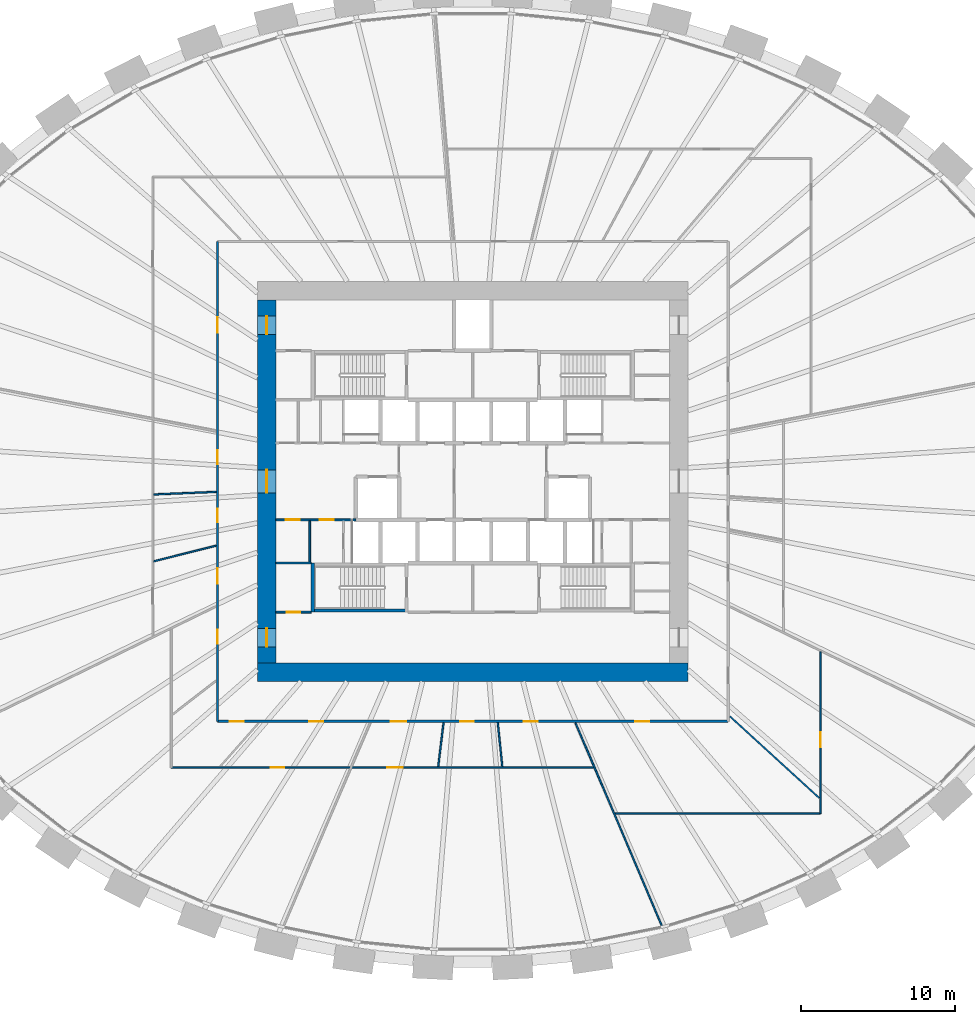
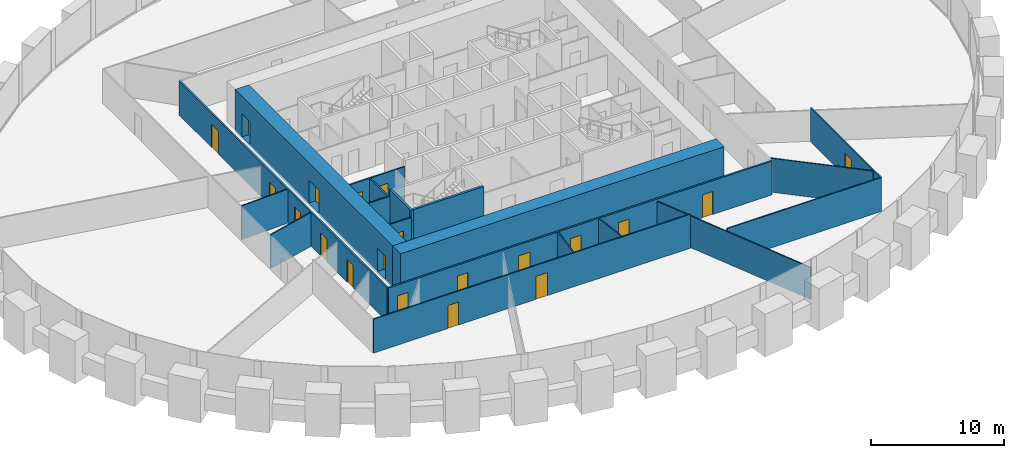
# One storey, part 6 of 11: 20 doors, 19 walls, 20 openings.
"""IFC4 building model written with IfcOpenShell, lengths in metres."""

from ifc_helpers import new_model, si_unit, direction, frame, frame_2d, origin, place, context, subcontext, project, spatial, rectangle, extrude, source, transform, mapped, material, layer, layer_set, type_object, element, fill, save


model = new_model("IFC4")

# Units and contexts
model_context = context("Model", 3, precision=1e-05, world=origin(), true_north=direction((0.0, 1.0)))
body_context = subcontext(model_context, "Body", "Model", "MODEL_VIEW")
ifc_project = project(units=[si_unit("LENGTHUNIT", "METRE"), si_unit("AREAUNIT", "SQUARE_METRE"), si_unit("VOLUMEUNIT", "CUBIC_METRE"), si_unit("PLANEANGLEUNIT", "RADIAN"), si_unit("MASSUNIT", "GRAM", prefix="KILO")], contexts=[model_context])

# Site, building, storey
site_placement = place(None, origin())
site = spatial("IfcSite", under=ifc_project, at=site_placement, CompositionType="ELEMENT")
building_placement = place(site_placement, origin())
building = spatial("IfcBuilding", under=site, at=building_placement, Name="Embergate Tower", CompositionType="ELEMENT")
storey_placement = place(building_placement, frame((0.0, 0.0, 77.60009765625)))
storey = spatial("IfcBuildingStorey", under=building, at=storey_placement, Name="L15", CompositionType="ELEMENT", Elevation=77.60009765625)

# Wall
ifc_material_1 = material(Name="Concrete C80", Category="concrete")
ifc_layer_1 = layer(ifc_material_1, 1.199951171875)
ifc_layer_set_1 = layer_set([ifc_layer_1], Name="Concrete C80")
wall_type_1 = type_object("IfcWallType", Name="Core outer wall C80 1200", PredefinedType="SHEAR", material=ifc_layer_set_1)
shared_shape_1 = source(origin(), body_context, "Body", "SweptSolid", [
    extrude(rectangle(XDim=28.0, YDim=1.199951171875, at=frame_2d((14.0, 0.0))), origin(), (0.0, 0.0, 1.0), 3.900146484375),
])
wall_1_placement = place(storey_placement, frame((-14.0, -12.39990234375, -0.2001953125), z_axis=(0.0, 0.0, 1.0), x_axis=(1.0, 0.0, 0.0)))
element("IfcWall", 1, at=wall_1_placement, inside=storey, type_object=wall_type_1, Name="CW-L15-S", PredefinedType="SHEAR", context=body_context, shape_type="MappedRepresentation", body=[
    mapped(shared_shape_1, transform((0.0, 0.0, 0.0))),
])

# Wall, openings, doors
shared_shape_2 = source(origin(), body_context, "Body", "SweptSolid", [
    extrude(rectangle(XDim=23.60009765625, YDim=1.199951171875, at=frame_2d((11.800048828125, 0.0))), origin(), (0.0, 0.0, 1.0), 3.900146484375),
])
wall_2_placement = place(storey_placement, frame((-13.39990234375, -11.800048828125, -0.2001953125), z_axis=(0.0, 0.0, 1.0), x_axis=(0.0, 1.0, 0.0)))
wall_2 = element("IfcWall", 2, at=wall_2_placement, inside=storey, type_object=wall_type_1, Name="CW-L15-W", PredefinedType="SHEAR", context=body_context, shape_type="MappedRepresentation", body=[
    mapped(shared_shape_2, transform((0.0, 0.0, 0.0))),
])
shared_shape_3 = source(origin(), body_context, "Body", "SweptSolid", [
    extrude(rectangle(XDim=1.199951171875, YDim=2.10009765625, at=frame_2d((0.60009765625, 1.050048828125))), frame((0.0, 0.60986328125, 0.0), z_axis=(0.0, -1.0, 0.0), x_axis=(1.0, 0.0, 0.0)), (0.0, 0.0, 1.0), 1.219970703125),
])
opening_1_placement = place(wall_2_placement, frame((21.35009765625, 0.0, 0.199951171875)))
opening_1 = element("IfcOpeningElement", 3, at=opening_1_placement, cuts=wall_2, Name="Opening IF-1", PredefinedType="OPENING", context=body_context, shape_type="MappedRepresentation", body=[
    mapped(shared_shape_3, transform((0.0, 0.0, 0.0))),
])
opening_2_placement = place(wall_2_placement, frame((1.050048828125, 0.0, 0.199951171875)))
opening_2 = element("IfcOpeningElement", 4, at=opening_2_placement, cuts=wall_2, Name="Opening IF-1", PredefinedType="OPENING", context=body_context, shape_type="MappedRepresentation", body=[
    mapped(shared_shape_3, transform((0.0, 0.0, 0.0))),
])
shared_shape_4 = source(origin(), body_context, "Body", "SweptSolid", [
    extrude(rectangle(XDim=1.5, YDim=2.10009765625, at=frame_2d((0.75, 1.050048828125))), frame((0.0, 0.60986328125, 0.0), z_axis=(0.0, -1.0, 0.0), x_axis=(1.0, 0.0, 0.0)), (0.0, 0.0, 1.0), 1.219970703125),
])
opening_3_placement = place(wall_2_placement, frame((11.050048828125, 0.0, 0.199951171875)))
opening_3 = element("IfcOpeningElement", 5, at=opening_3_placement, cuts=wall_2, Name="Opening IF-3", PredefinedType="OPENING", context=body_context, shape_type="MappedRepresentation", body=[
    mapped(shared_shape_4, transform((0.0, 0.0, 0.0))),
])
ifc_material_2 = material(Name="Escape fire door 1200")
door_type_1 = type_object("IfcDoorType", Name="Escape fire door 1200", OperationType="SINGLE_SWING_LEFT", PredefinedType="DOOR", material=ifc_material_2)
shared_shape_5 = source(origin(), body_context, "Body", "SweptSolid", [
    extrude(rectangle(XDim=1.199951171875, YDim=2.10009765625, at=frame_2d((0.60009765625, 1.050048828125))), frame((0.0, 0.02490234375, 0.0), z_axis=(0.0, -1.0, 0.0), x_axis=(1.0, 0.0, 0.0)), (0.0, 0.0, 1.0), 0.050048828125),
])
door_1_placement = place(opening_1_placement, origin())
door_1 = element("IfcDoor", 6, at=door_1_placement, inside=storey, type_object=door_type_1, Name="IF-1 door", OperationType="SINGLE_SWING_LEFT", OverallHeight=2.10009765625, OverallWidth=1.199951171875, PredefinedType="DOOR", context=body_context, shape_type="MappedRepresentation", body=[
    mapped(shared_shape_5, transform((0.0, 0.0, 0.0))),
])
fill(opening_1, door_1)
door_2_placement = place(opening_2_placement, origin())
door_2 = element("IfcDoor", 7, at=door_2_placement, inside=storey, type_object=door_type_1, Name="IF-1 door", OperationType="SINGLE_SWING_LEFT", OverallHeight=2.10009765625, OverallWidth=1.199951171875, PredefinedType="DOOR", context=body_context, shape_type="MappedRepresentation", body=[
    mapped(shared_shape_5, transform((0.0, 0.0, 0.0))),
])
fill(opening_2, door_2)
ifc_material_3 = material(Name="Lobby fire door pair 1500")
door_type_2 = type_object("IfcDoorType", Name="Lobby fire door pair 1500", OperationType="DOUBLE_DOOR_SINGLE_SWING", PredefinedType="DOOR", material=ifc_material_3)
shared_shape_6 = source(origin(), body_context, "Body", "SweptSolid", [
    extrude(rectangle(XDim=1.5, YDim=2.10009765625, at=frame_2d((0.75, 1.050048828125))), frame((0.0, 0.02490234375, 0.0), z_axis=(0.0, -1.0, 0.0), x_axis=(1.0, 0.0, 0.0)), (0.0, 0.0, 1.0), 0.050048828125),
])
door_3_placement = place(opening_3_placement, origin())
door_3 = element("IfcDoor", 8, at=door_3_placement, inside=storey, type_object=door_type_2, Name="IF-3 door", OperationType="DOUBLE_DOOR_SINGLE_SWING", OverallHeight=2.10009765625, OverallWidth=1.5, PredefinedType="DOOR", context=body_context, shape_type="MappedRepresentation", body=[
    mapped(shared_shape_6, transform((0.0, 0.0, 0.0))),
])
fill(opening_3, door_3)

# Walls
ifc_material_4 = material(Name="Concrete C50", Category="concrete")
ifc_layer_2 = layer(ifc_material_4, 0.199951171875)
ifc_layer_set_2 = layer_set([ifc_layer_2], Name="Concrete C50")
wall_type_2 = type_object("IfcWallType", Name="Stair enclosure wall reinforced concrete 250", PredefinedType="SHEAR", material=ifc_layer_set_2)
shared_shape_7 = source(origin(), body_context, "Body", "SweptSolid", [
    extrude(rectangle(XDim=6.300048828125, YDim=0.199951171875, at=frame_2d((3.14990234375, 0.0))), origin(), (0.0, 0.0, 1.0), 3.699951171875),
])
wall_3_placement = place(storey_placement, frame((-10.5, -8.39990234375, 0.0), z_axis=(0.0, 0.0, 1.0), x_axis=(1.0, 0.0, 0.0)))
element("IfcWall", 9, at=wall_3_placement, inside=storey, type_object=wall_type_2, Name="SE-1 wall", PredefinedType="SHEAR", context=body_context, shape_type="MappedRepresentation", body=[
    mapped(shared_shape_7, transform((0.0, 0.0, 0.0))),
])
shared_shape_8 = source(origin(), body_context, "Body", "SweptSolid", [
    extrude(rectangle(XDim=3.199951171875, YDim=0.199951171875, at=frame_2d((1.60009765625, 0.0))), origin(), (0.0, 0.0, 1.0), 3.699951171875),
])
wall_4_placement = place(storey_placement, frame((-10.39990234375, -5.300048828125, 0.0), z_axis=(0.0, 0.0, 1.0), x_axis=(0.0, -1.0, 0.0)))
element("IfcWall", 10, at=wall_4_placement, inside=storey, type_object=wall_type_2, Name="SE-1 wall", PredefinedType="SHEAR", context=body_context, shape_type="MappedRepresentation", body=[
    mapped(shared_shape_8, transform((0.0, 0.0, 0.0))),
])

# Wall, openings, doors
ifc_material_5 = material(Name="Core partition blockwork 120")
ifc_layer_3 = layer(ifc_material_5, 0.1201171875)
ifc_layer_set_3 = layer_set([ifc_layer_3], Name="Core partition blockwork 120")
wall_type_3 = type_object("IfcWallType", Name="Core partition blockwork 120", PredefinedType="PARTITIONING", material=ifc_layer_set_3)
shared_shape_9 = source(origin(), body_context, "Body", "SweptSolid", [
    extrude(rectangle(XDim=5.199951171875, YDim=0.1201171875, at=frame_2d((2.60009765625, 0.0))), origin(), (0.0, 0.0, 1.0), 3.099853515625),
])
wall_5_placement = place(storey_placement, frame((-7.60009765625, -2.5, 0.0), z_axis=(0.0, 0.0, 1.0), x_axis=(-1.0, 0.0, 0.0)))
wall_5 = element("IfcWall", 11, at=wall_5_placement, inside=storey, type_object=wall_type_3, Name="IP-3 wall", PredefinedType="PARTITIONING", context=body_context, shape_type="MappedRepresentation", body=[
    mapped(shared_shape_9, transform((0.0, 0.0, 0.0))),
])
shared_shape_10 = source(origin(), body_context, "Body", "SweptSolid", [
    extrude(rectangle(XDim=0.89990234375, YDim=2.10009765625, at=frame_2d((0.449951171875, 1.050048828125))), frame((0.0, 0.070068359375, 0.0), z_axis=(0.0, -1.0, 0.0), x_axis=(1.0, 0.0, 0.0)), (0.0, 0.0, 1.0), 0.14013671875),
])
opening_4_placement = place(wall_5_placement, frame((3.64990234375, 0.0, 0.0)))
opening_4 = element("IfcOpeningElement", 12, at=opening_4_placement, cuts=wall_5, Name="Opening ID-1", PredefinedType="OPENING", context=body_context, shape_type="MappedRepresentation", body=[
    mapped(shared_shape_10, transform((0.0, 0.0, 0.0))),
])
opening_5_placement = place(wall_5_placement, frame((1.449951171875, 0.0, 0.0)))
opening_5 = element("IfcOpeningElement", 13, at=opening_5_placement, cuts=wall_5, Name="Opening ID-1", PredefinedType="OPENING", context=body_context, shape_type="MappedRepresentation", body=[
    mapped(shared_shape_10, transform((0.0, 0.0, 0.0))),
])
ifc_material_6 = material(Name="Interior door 900")
door_type_3 = type_object("IfcDoorType", Name="Interior door 900", OperationType="SINGLE_SWING_LEFT", PredefinedType="DOOR", material=ifc_material_6)
shared_shape_11 = source(origin(), body_context, "Body", "SweptSolid", [
    extrude(rectangle(XDim=0.89990234375, YDim=2.10009765625, at=frame_2d((0.449951171875, 1.050048828125))), frame((0.0, 0.02490234375, 0.0), z_axis=(0.0, -1.0, 0.0), x_axis=(1.0, 0.0, 0.0)), (0.0, 0.0, 1.0), 0.050048828125),
])
door_4_placement = place(opening_4_placement, origin())
door_4 = element("IfcDoor", 14, at=door_4_placement, inside=storey, type_object=door_type_3, Name="ID-1 door", OperationType="SINGLE_SWING_RIGHT", OverallHeight=2.10009765625, OverallWidth=0.89990234375, PredefinedType="DOOR", context=body_context, shape_type="MappedRepresentation", body=[
    mapped(shared_shape_11, transform((0.0, 0.0, 0.0))),
])
fill(opening_4, door_4)
door_5_placement = place(opening_5_placement, origin())
door_5 = element("IfcDoor", 15, at=door_5_placement, inside=storey, type_object=door_type_3, Name="ID-1 door", OperationType="SINGLE_SWING_RIGHT", OverallHeight=2.10009765625, OverallWidth=0.89990234375, PredefinedType="DOOR", context=body_context, shape_type="MappedRepresentation", body=[
    mapped(shared_shape_11, transform((0.0, 0.0, 0.0))),
])
fill(opening_5, door_5)

# Wall, opening, door
shared_shape_12 = source(origin(), body_context, "Body", "SweptSolid", [
    extrude(rectangle(XDim=2.300048828125, YDim=0.1201171875, at=frame_2d((1.14990234375, 0.0))), origin(), (0.0, 0.0, 1.0), 3.099853515625),
])
wall_6_placement = place(storey_placement, frame((-10.5, -8.5, 0.0), z_axis=(0.0, 0.0, 1.0), x_axis=(-1.0, 0.0, 0.0)))
wall_6 = element("IfcWall", 16, at=wall_6_placement, inside=storey, type_object=wall_type_3, Name="IP-3 wall", PredefinedType="PARTITIONING", context=body_context, shape_type="MappedRepresentation", body=[
    mapped(shared_shape_12, transform((0.0, 0.0, 0.0))),
])
opening_6_placement = place(wall_6_placement, frame((0.699951171875, 0.0, 0.0)))
opening_6 = element("IfcOpeningElement", 17, at=opening_6_placement, cuts=wall_6, Name="Opening ID-1", PredefinedType="OPENING", context=body_context, shape_type="MappedRepresentation", body=[
    mapped(shared_shape_10, transform((0.0, 0.0, 0.0))),
])
door_6_placement = place(opening_6_placement, origin())
door_6 = element("IfcDoor", 18, at=door_6_placement, inside=storey, type_object=door_type_3, Name="ID-1 door", OperationType="SINGLE_SWING_LEFT", OverallHeight=2.10009765625, OverallWidth=0.89990234375, PredefinedType="DOOR", context=body_context, shape_type="MappedRepresentation", body=[
    mapped(shared_shape_11, transform((0.0, 0.0, 0.0))),
])
fill(opening_6, door_6)

# Walls
wall_7_placement = place(storey_placement, frame((-12.800048828125, -5.300048828125, 0.0), z_axis=(0.0, 0.0, 1.0), x_axis=(1.0, 0.0, 0.0)))
element("IfcWall", 19, at=wall_7_placement, inside=storey, type_object=wall_type_3, Name="IP-3 wall", PredefinedType="PARTITIONING", context=body_context, shape_type="MappedRepresentation", body=[
    mapped(shared_shape_12, transform((0.0, 0.0, 0.0))),
])
shared_shape_13 = source(origin(), body_context, "Body", "SweptSolid", [
    extrude(rectangle(XDim=2.679931640625, YDim=0.1201171875, at=frame_2d((1.33984375, 0.0))), origin(), (0.0, 0.0, 1.0), 3.099853515625),
])
wall_8_placement = place(storey_placement, frame((-10.60009765625, -5.239990234375, 0.0), z_axis=(0.0, 0.0, 1.0), x_axis=(0.0, 1.0, 0.0)))
element("IfcWall", 20, at=wall_8_placement, inside=storey, type_object=wall_type_3, Name="IP-3 wall", PredefinedType="PARTITIONING", context=body_context, shape_type="MappedRepresentation", body=[
    mapped(shared_shape_13, transform((0.0, 0.0, 0.0))),
])

# Wall, openings, doors
ifc_material_7 = material(Name="Corridor wall dry-lined 150 wet")
ifc_layer_4 = layer(ifc_material_7, 0.14990234375)
ifc_layer_set_4 = layer_set([ifc_layer_4], Name="Corridor wall dry-lined 150 wet")
wall_type_4 = type_object("IfcWallType", Name="Corridor wall dry-lined 150 wet", PredefinedType="PLUMBINGWALL", material=ifc_layer_set_4)
shared_shape_14 = source(origin(), body_context, "Body", "SweptSolid", [
    extrude(rectangle(XDim=31.2001953125, YDim=0.14990234375, at=frame_2d((15.60009765625, 0.0))), origin(), (0.0, 0.0, 1.0), 3.099853515625),
])
wall_9_placement = place(storey_placement, frame((-16.60009765625, -15.60009765625, 0.0), z_axis=(0.0, 0.0, 1.0), x_axis=(0.0, 1.0, 0.0)))
wall_9 = element("IfcWall", 21, at=wall_9_placement, inside=storey, type_object=wall_type_4, Name="IP-2 wall", PredefinedType="PLUMBINGWALL", context=body_context, shape_type="MappedRepresentation", body=[
    mapped(shared_shape_14, transform((0.0, 0.0, 0.0))),
])
shared_shape_15 = source(origin(), body_context, "Body", "SweptSolid", [
    extrude(rectangle(XDim=0.89990234375, YDim=2.10009765625, at=frame_2d((0.449951171875, 1.050048828125))), frame((0.0, 0.0849609375, 0.0), z_axis=(0.0, -1.0, 0.0), x_axis=(1.0, 0.0, 0.0)), (0.0, 0.0, 1.0), 0.169921875),
])
opening_7_placement = place(wall_9_placement, frame((5.06005859375, 0.0, 0.0)))
opening_7 = element("IfcOpeningElement", 22, at=opening_7_placement, cuts=wall_9, Name="Opening IF-1c", PredefinedType="OPENING", context=body_context, shape_type="MappedRepresentation", body=[
    mapped(shared_shape_15, transform((0.0, 0.0, 0.0))),
])
shared_shape_16 = source(origin(), body_context, "Body", "SweptSolid", [
    extrude(rectangle(XDim=1.0, YDim=2.10009765625, at=frame_2d((0.5, 1.050048828125))), frame((0.0, 0.0849609375, 0.0), z_axis=(0.0, -1.0, 0.0), x_axis=(1.0, 0.0, 0.0)), (0.0, 0.0, 1.0), 0.169921875),
])
opening_8_placement = place(wall_9_placement, frame((25.27490234375, 0.0, 0.0)))
opening_8 = element("IfcOpeningElement", 23, at=opening_8_placement, cuts=wall_9, Name="Opening ID-2", PredefinedType="OPENING", context=body_context, shape_type="MappedRepresentation", body=[
    mapped(shared_shape_16, transform((0.0, 0.0, 0.0))),
])
opening_9_placement = place(wall_9_placement, frame((16.722900390625, 0.0, 0.0)))
opening_9 = element("IfcOpeningElement", 24, at=opening_9_placement, cuts=wall_9, Name="Opening IF-1c", PredefinedType="OPENING", context=body_context, shape_type="MappedRepresentation", body=[
    mapped(shared_shape_15, transform((0.0, 0.0, 0.0))),
])
opening_10_placement = place(wall_9_placement, frame((12.929931640625, 0.0, 0.0)))
opening_10 = element("IfcOpeningElement", 25, at=opening_10_placement, cuts=wall_9, Name="Opening IF-1c", PredefinedType="OPENING", context=body_context, shape_type="MappedRepresentation", body=[
    mapped(shared_shape_15, transform((0.0, 0.0, 0.0))),
])
opening_11_placement = place(wall_9_placement, frame((8.9560546875, 0.0, 0.0)))
opening_11 = element("IfcOpeningElement", 26, at=opening_11_placement, cuts=wall_9, Name="Opening ID-2", PredefinedType="OPENING", context=body_context, shape_type="MappedRepresentation", body=[
    mapped(shared_shape_16, transform((0.0, 0.0, 0.0))),
])
ifc_material_8 = material(Name="Escape fire door 900")
door_type_4 = type_object("IfcDoorType", Name="Escape fire door 900", OperationType="SINGLE_SWING_LEFT", PredefinedType="DOOR", material=ifc_material_8)
door_7_placement = place(opening_7_placement, origin())
door_7 = element("IfcDoor", 27, at=door_7_placement, inside=storey, type_object=door_type_4, Name="IF-1 door", OperationType="SINGLE_SWING_RIGHT", OverallHeight=2.10009765625, OverallWidth=0.89990234375, PredefinedType="DOOR", context=body_context, shape_type="MappedRepresentation", body=[
    mapped(shared_shape_11, transform((0.0, 0.0, 0.0))),
])
fill(opening_7, door_7)
door_8_placement = place(opening_9_placement, origin())
door_8 = element("IfcDoor", 28, at=door_8_placement, inside=storey, type_object=door_type_4, Name="IF-1 door", OperationType="SINGLE_SWING_LEFT", OverallHeight=2.10009765625, OverallWidth=0.89990234375, PredefinedType="DOOR", context=body_context, shape_type="MappedRepresentation", body=[
    mapped(shared_shape_11, transform((0.0, 0.0, 0.0))),
])
fill(opening_9, door_8)
door_9_placement = place(opening_10_placement, origin())
door_9 = element("IfcDoor", 29, at=door_9_placement, inside=storey, type_object=door_type_4, Name="IF-1 door", OperationType="SINGLE_SWING_LEFT", OverallHeight=2.10009765625, OverallWidth=0.89990234375, PredefinedType="DOOR", context=body_context, shape_type="MappedRepresentation", body=[
    mapped(shared_shape_11, transform((0.0, 0.0, 0.0))),
])
fill(opening_10, door_9)
ifc_material_9 = material(Name="Interior door 1000")
door_type_5 = type_object("IfcDoorType", Name="Interior door 1000", OperationType="SINGLE_SWING_LEFT", PredefinedType="DOOR", material=ifc_material_9)
shared_shape_17 = source(origin(), body_context, "Body", "SweptSolid", [
    extrude(rectangle(XDim=1.0, YDim=2.10009765625, at=frame_2d((0.5, 1.050048828125))), frame((0.0, 0.02490234375, 0.0), z_axis=(0.0, -1.0, 0.0), x_axis=(1.0, 0.0, 0.0)), (0.0, 0.0, 1.0), 0.050048828125),
])
door_10_placement = place(opening_8_placement, origin())
door_10 = element("IfcDoor", 30, at=door_10_placement, inside=storey, type_object=door_type_5, Name="ID-2 door", OperationType="SINGLE_SWING_RIGHT", OverallHeight=2.10009765625, OverallWidth=1.0, PredefinedType="DOOR", context=body_context, shape_type="MappedRepresentation", body=[
    mapped(shared_shape_17, transform((0.0, 0.0, 0.0))),
])
fill(opening_8, door_10)
door_11_placement = place(opening_11_placement, origin())
door_11 = element("IfcDoor", 31, at=door_11_placement, inside=storey, type_object=door_type_5, Name="ID-2 door", OperationType="SINGLE_SWING_LEFT", OverallHeight=2.10009765625, OverallWidth=1.0, PredefinedType="DOOR", context=body_context, shape_type="MappedRepresentation", body=[
    mapped(shared_shape_17, transform((0.0, 0.0, 0.0))),
])
fill(opening_11, door_11)

shared_shape_18 = source(origin(), body_context, "Body", "SweptSolid", [
    extrude(rectangle(XDim=33.2001953125, YDim=0.14990234375, at=frame_2d((16.60009765625, 0.0))), origin(), (0.0, 0.0, 1.0), 3.099853515625),
])
wall_10_placement = place(storey_placement, frame((16.60009765625, -15.60009765625, 0.0), z_axis=(0.0, 0.0, 1.0), x_axis=(-1.0, 0.0, 0.0)))
wall_10 = element("IfcWall", 32, at=wall_10_placement, inside=storey, type_object=wall_type_4, Name="IP-2 wall", PredefinedType="PLUMBINGWALL", context=body_context, shape_type="MappedRepresentation", body=[
    mapped(shared_shape_18, transform((0.0, 0.0, 0.0))),
])
opening_12_placement = place(wall_10_placement, frame((31.489990234375, 0.0, 0.0)))
opening_12 = element("IfcOpeningElement", 33, at=opening_12_placement, cuts=wall_10, Name="Opening IF-1c", PredefinedType="OPENING", context=body_context, shape_type="MappedRepresentation", body=[
    mapped(shared_shape_15, transform((0.0, 0.0, 0.0))),
])
opening_13_placement = place(wall_10_placement, frame((26.323974609375, 0.0, 0.0)))
opening_13 = element("IfcOpeningElement", 34, at=opening_13_placement, cuts=wall_10, Name="Opening IF-1c", PredefinedType="OPENING", context=body_context, shape_type="MappedRepresentation", body=[
    mapped(shared_shape_15, transform((0.0, 0.0, 0.0))),
])
opening_14_placement = place(wall_10_placement, frame((20.929931640625, 0.0, 0.0)))
opening_14 = element("IfcOpeningElement", 35, at=opening_14_placement, cuts=wall_10, Name="Opening ID-2", PredefinedType="OPENING", context=body_context, shape_type="MappedRepresentation", body=[
    mapped(shared_shape_16, transform((0.0, 0.0, 0.0))),
])
opening_15_placement = place(wall_10_placement, frame((16.528076171875, 0.0, 0.0)))
opening_15 = element("IfcOpeningElement", 36, at=opening_15_placement, cuts=wall_10, Name="Opening IF-1c", PredefinedType="OPENING", context=body_context, shape_type="MappedRepresentation", body=[
    mapped(shared_shape_15, transform((0.0, 0.0, 0.0))),
])
opening_16_placement = place(wall_10_placement, frame((12.3759765625, 0.0, 0.0)))
opening_16 = element("IfcOpeningElement", 37, at=opening_16_placement, cuts=wall_10, Name="Opening IF-1c", PredefinedType="OPENING", context=body_context, shape_type="MappedRepresentation", body=[
    mapped(shared_shape_15, transform((0.0, 0.0, 0.0))),
])
opening_17_placement = place(wall_10_placement, frame((5.1240234375, 0.0, 0.0)))
opening_17 = element("IfcOpeningElement", 38, at=opening_17_placement, cuts=wall_10, Name="Opening IF-1c", PredefinedType="OPENING", context=body_context, shape_type="MappedRepresentation", body=[
    mapped(shared_shape_15, transform((0.0, 0.0, 0.0))),
])
door_12_placement = place(opening_12_placement, origin())
door_12 = element("IfcDoor", 39, at=door_12_placement, inside=storey, type_object=door_type_4, Name="IF-1 door", OperationType="SINGLE_SWING_RIGHT", OverallHeight=2.10009765625, OverallWidth=0.89990234375, PredefinedType="DOOR", context=body_context, shape_type="MappedRepresentation", body=[
    mapped(shared_shape_11, transform((0.0, 0.0, 0.0))),
])
fill(opening_12, door_12)
door_13_placement = place(opening_13_placement, origin())
door_13 = element("IfcDoor", 40, at=door_13_placement, inside=storey, type_object=door_type_4, Name="IF-1 door", OperationType="SINGLE_SWING_RIGHT", OverallHeight=2.10009765625, OverallWidth=0.89990234375, PredefinedType="DOOR", context=body_context, shape_type="MappedRepresentation", body=[
    mapped(shared_shape_11, transform((0.0, 0.0, 0.0))),
])
fill(opening_13, door_13)
door_14_placement = place(opening_15_placement, origin())
door_14 = element("IfcDoor", 41, at=door_14_placement, inside=storey, type_object=door_type_4, Name="IF-1 door", OperationType="SINGLE_SWING_LEFT", OverallHeight=2.10009765625, OverallWidth=0.89990234375, PredefinedType="DOOR", context=body_context, shape_type="MappedRepresentation", body=[
    mapped(shared_shape_11, transform((0.0, 0.0, 0.0))),
])
fill(opening_15, door_14)
door_15_placement = place(opening_16_placement, origin())
door_15 = element("IfcDoor", 42, at=door_15_placement, inside=storey, type_object=door_type_4, Name="IF-1 door", OperationType="SINGLE_SWING_LEFT", OverallHeight=2.10009765625, OverallWidth=0.89990234375, PredefinedType="DOOR", context=body_context, shape_type="MappedRepresentation", body=[
    mapped(shared_shape_11, transform((0.0, 0.0, 0.0))),
])
fill(opening_16, door_15)
door_16_placement = place(opening_17_placement, origin())
door_16 = element("IfcDoor", 43, at=door_16_placement, inside=storey, type_object=door_type_4, Name="IF-1 door", OperationType="SINGLE_SWING_RIGHT", OverallHeight=2.10009765625, OverallWidth=0.89990234375, PredefinedType="DOOR", context=body_context, shape_type="MappedRepresentation", body=[
    mapped(shared_shape_11, transform((0.0, 0.0, 0.0))),
])
fill(opening_17, door_16)
door_17_placement = place(opening_14_placement, origin())
door_17 = element("IfcDoor", 44, at=door_17_placement, inside=storey, type_object=door_type_5, Name="ID-2 door", OperationType="SINGLE_SWING_LEFT", OverallHeight=2.10009765625, OverallWidth=1.0, PredefinedType="DOOR", context=body_context, shape_type="MappedRepresentation", body=[
    mapped(shared_shape_17, transform((0.0, 0.0, 0.0))),
])
fill(opening_14, door_17)

ifc_material_10 = material(Name="Partition dry-lined 100 wet")
ifc_layer_5 = layer(ifc_material_10, 0.10009765625)
ifc_layer_set_5 = layer_set([ifc_layer_5], Name="Partition dry-lined 100 wet")
wall_type_5 = type_object("IfcWallType", Name="Partition dry-lined 100 wet", PredefinedType="PLUMBINGWALL", material=ifc_layer_set_5)
shared_shape_19 = source(origin(), body_context, "Body", "SweptSolid", [
    extrude(rectangle(XDim=27.43798828125, YDim=0.10009765625, at=frame_2d((13.718994140625, 0.0))), origin(), (0.0, 0.0, 1.0), 3.099853515625),
])
wall_11_placement = place(storey_placement, frame((7.837890625, -18.60009765625, 0.0), z_axis=(0.0, 0.0, 1.0), x_axis=(-1.0, 0.0, 0.0)))
wall_11 = element("IfcWall", 45, at=wall_11_placement, inside=storey, type_object=wall_type_5, Name="IP-1 wall", PredefinedType="PLUMBINGWALL", context=body_context, shape_type="MappedRepresentation", body=[
    mapped(shared_shape_19, transform((0.0, 0.0, 0.0))),
])
shared_shape_20 = source(origin(), body_context, "Body", "SweptSolid", [
    extrude(rectangle(XDim=0.89990234375, YDim=2.10009765625, at=frame_2d((0.449951171875, 1.050048828125))), frame((0.0, 0.06005859375, 0.0), z_axis=(0.0, -1.0, 0.0), x_axis=(1.0, 0.0, 0.0)), (0.0, 0.0, 1.0), 0.1201171875),
])
opening_18_placement = place(wall_11_placement, frame((20.0810546875, 0.0, 0.0)))
opening_18 = element("IfcOpeningElement", 46, at=opening_18_placement, cuts=wall_11, Name="Opening ID-1", PredefinedType="OPENING", context=body_context, shape_type="MappedRepresentation", body=[
    mapped(shared_shape_20, transform((0.0, 0.0, 0.0))),
])
shared_shape_21 = source(origin(), body_context, "Body", "SweptSolid", [
    extrude(rectangle(XDim=1.0, YDim=2.10009765625, at=frame_2d((0.5, 1.050048828125))), frame((0.0, 0.06005859375, 0.0), z_axis=(0.0, -1.0, 0.0), x_axis=(1.0, 0.0, 0.0)), (0.0, 0.0, 1.0), 0.1201171875),
])
opening_19_placement = place(wall_11_placement, frame((12.381103515625, 0.0, 0.0)))
opening_19 = element("IfcOpeningElement", 47, at=opening_19_placement, cuts=wall_11, Name="Opening ID-2", PredefinedType="OPENING", context=body_context, shape_type="MappedRepresentation", body=[
    mapped(shared_shape_21, transform((0.0, 0.0, 0.0))),
])
door_18_placement = place(opening_18_placement, origin())
door_18 = element("IfcDoor", 48, at=door_18_placement, inside=storey, type_object=door_type_3, Name="ID-1 door", OperationType="SINGLE_SWING_RIGHT", OverallHeight=2.10009765625, OverallWidth=0.89990234375, PredefinedType="DOOR", context=body_context, shape_type="MappedRepresentation", body=[
    mapped(shared_shape_11, transform((0.0, 0.0, 0.0))),
])
fill(opening_18, door_18)
door_19_placement = place(opening_19_placement, origin())
door_19 = element("IfcDoor", 49, at=door_19_placement, inside=storey, type_object=door_type_5, Name="ID-2 door", OperationType="SINGLE_SWING_LEFT", OverallHeight=2.10009765625, OverallWidth=1.0, PredefinedType="DOOR", context=body_context, shape_type="MappedRepresentation", body=[
    mapped(shared_shape_17, transform((0.0, 0.0, 0.0))),
])
fill(opening_19, door_19)

# Walls
ifc_material_11 = material(Name="Partition dry-lined 100")
ifc_layer_6 = layer(ifc_material_11, 0.10009765625)
ifc_layer_set_6 = layer_set([ifc_layer_6], Name="Partition dry-lined 100")
wall_type_6 = type_object("IfcWallType", Name="Partition dry-lined 100", PredefinedType="PARTITIONING", material=ifc_layer_set_6)
shared_shape_22 = source(origin(), body_context, "Body", "SweptSolid", [
    extrude(rectangle(XDim=14.41015625, YDim=0.10009765625, at=frame_2d((7.205078125, 0.0))), origin(), (0.0, 0.0, 1.0), 2.89990234375),
])
wall_12_placement = place(storey_placement, frame((6.677978515625, -15.695068359375, 0.0), z_axis=(0.0, 0.0, 1.0), x_axis=(0.391470314231, -0.920190737334, 0.0)))
element("IfcWall", 50, at=wall_12_placement, inside=storey, type_object=wall_type_6, Name="IP-1 wall", PredefinedType="PARTITIONING", context=body_context, shape_type="MappedRepresentation", body=[
    mapped(shared_shape_22, transform((0.0, 0.0, 0.0))),
])
shared_shape_23 = source(origin(), body_context, "Body", "SweptSolid", [
    extrude(rectangle(XDim=2.884033203125, YDim=0.10009765625, at=frame_2d((1.44189453125, 0.0))), origin(), (0.0, 0.0, 1.0), 3.099853515625),
])
wall_13_placement = place(storey_placement, frame((-1.89990234375, -15.680908203125, 0.0), z_axis=(0.0, 0.0, 1.0), x_axis=(-0.120376873285, -0.992728265125, 0.0)))
element("IfcWall", 51, at=wall_13_placement, inside=storey, type_object=wall_type_6, Name="IP-1 wall", PredefinedType="PARTITIONING", context=body_context, shape_type="MappedRepresentation", body=[
    mapped(shared_shape_23, transform((0.0, 0.0, 0.0))),
])
shared_shape_24 = source(origin(), body_context, "Body", "SweptSolid", [
    extrude(rectangle(XDim=2.88037109375, YDim=0.10009765625, at=frame_2d((1.440185546875, 0.0))), origin(), (0.0, 0.0, 1.0), 3.099853515625),
])
wall_14_placement = place(storey_placement, frame((1.6240234375, -15.679931640625, 0.0), z_axis=(0.0, 0.0, 1.0), x_axis=(0.10306976913, -0.994674128894, 0.0)))
element("IfcWall", 52, at=wall_14_placement, inside=storey, type_object=wall_type_6, Name="IP-1 wall", PredefinedType="PARTITIONING", context=body_context, shape_type="MappedRepresentation", body=[
    mapped(shared_shape_24, transform((0.0, 0.0, 0.0))),
])
shared_shape_25 = source(origin(), body_context, "Body", "SweptSolid", [
    extrude(rectangle(XDim=7.86669921875, YDim=0.10009765625, at=frame_2d((3.933349609375, 0.0))), origin(), (0.0, 0.0, 1.0), 3.099853515625),
])
wall_15_placement = place(storey_placement, frame((16.708984375, -15.26806640625, 0.0), z_axis=(0.0, 0.0, 1.0), x_axis=(0.738186434387, -0.674596759618, 0.0)))
element("IfcWall", 53, at=wall_15_placement, inside=storey, type_object=wall_type_6, Name="IP-1 wall", PredefinedType="PARTITIONING", context=body_context, shape_type="MappedRepresentation", body=[
    mapped(shared_shape_25, transform((0.0, 0.0, 0.0))),
])

# Wall, opening, door
shared_shape_26 = source(origin(), body_context, "Body", "SweptSolid", [
    extrude(rectangle(XDim=10.51708984375, YDim=0.10009765625, at=frame_2d((5.258544921875, 0.0))), origin(), (0.0, 0.0, 1.0), 3.099853515625),
])
wall_16_placement = place(storey_placement, frame((22.60009765625, -11.0830078125, 0.0), z_axis=(0.0, 0.0, 1.0), x_axis=(0.0, -1.0, 0.0)))
wall_16 = element("IfcWall", 54, at=wall_16_placement, inside=storey, type_object=wall_type_6, Name="IP-1 wall", PredefinedType="PARTITIONING", context=body_context, shape_type="MappedRepresentation", body=[
    mapped(shared_shape_26, transform((0.0, 0.0, 0.0))),
])
opening_20_placement = place(wall_16_placement, frame((5.210205078125, 0.0, 0.0)))
opening_20 = element("IfcOpeningElement", 55, at=opening_20_placement, cuts=wall_16, Name="Opening ID-2", PredefinedType="OPENING", context=body_context, shape_type="MappedRepresentation", body=[
    mapped(shared_shape_21, transform((0.0, 0.0, 0.0))),
])
door_20_placement = place(opening_20_placement, origin())
door_20 = element("IfcDoor", 56, at=door_20_placement, inside=storey, type_object=door_type_5, Name="ID-2 door", OperationType="SINGLE_SWING_LEFT", OverallHeight=2.10009765625, OverallWidth=1.0, PredefinedType="DOOR", context=body_context, shape_type="MappedRepresentation", body=[
    mapped(shared_shape_17, transform((0.0, 0.0, 0.0))),
])
fill(opening_20, door_20)

# Walls
shared_shape_27 = source(origin(), body_context, "Body", "SweptSolid", [
    extrude(rectangle(XDim=13.333984375, YDim=0.10009765625, at=frame_2d((6.6669921875, 0.0))), origin(), (0.0, 0.0, 1.0), 3.099853515625),
])
wall_17_placement = place(storey_placement, frame((22.60009765625, -21.60009765625, 0.0), z_axis=(0.0, 0.0, 1.0), x_axis=(-1.0, 0.0, 0.0)))
element("IfcWall", 57, at=wall_17_placement, inside=storey, type_object=wall_type_6, Name="IP-1 wall", PredefinedType="PARTITIONING", context=body_context, shape_type="MappedRepresentation", body=[
    mapped(shared_shape_27, transform((0.0, 0.0, 0.0))),
])
shared_shape_28 = source(origin(), body_context, "Body", "SweptSolid", [
    extrude(rectangle(XDim=4.078369140625, YDim=0.10009765625, at=frame_2d((2.0390625, 0.0))), origin(), (0.0, 0.0, 1.0), 3.099853515625),
])
wall_18_placement = place(storey_placement, frame((-16.675048828125, -0.679931640625, 0.0), z_axis=(0.0, 0.0, 1.0), x_axis=(-0.99916136901, -0.040945801714, 0.0)))
element("IfcWall", 58, at=wall_18_placement, inside=storey, type_object=wall_type_6, Name="IP-1 wall", PredefinedType="PARTITIONING", context=body_context, shape_type="MappedRepresentation", body=[
    mapped(shared_shape_28, transform((0.0, 0.0, 0.0))),
])
shared_shape_29 = source(origin(), body_context, "Body", "SweptSolid", [
    extrude(rectangle(XDim=4.17626953125, YDim=0.10009765625, at=frame_2d((2.088134765625, 0.0))), origin(), (0.0, 0.0, 1.0), 3.099853515625),
])
wall_19_placement = place(storey_placement, frame((-16.68701171875, -4.180908203125, 0.0), z_axis=(0.0, 0.0, 1.0), x_axis=(-0.970008240275, -0.243072034175, 0.0)))
element("IfcWall", 59, at=wall_19_placement, inside=storey, type_object=wall_type_6, Name="IP-1 wall", PredefinedType="PARTITIONING", context=body_context, shape_type="MappedRepresentation", body=[
    mapped(shared_shape_29, transform((0.0, 0.0, 0.0))),
])

save(model, "model.ifc")
